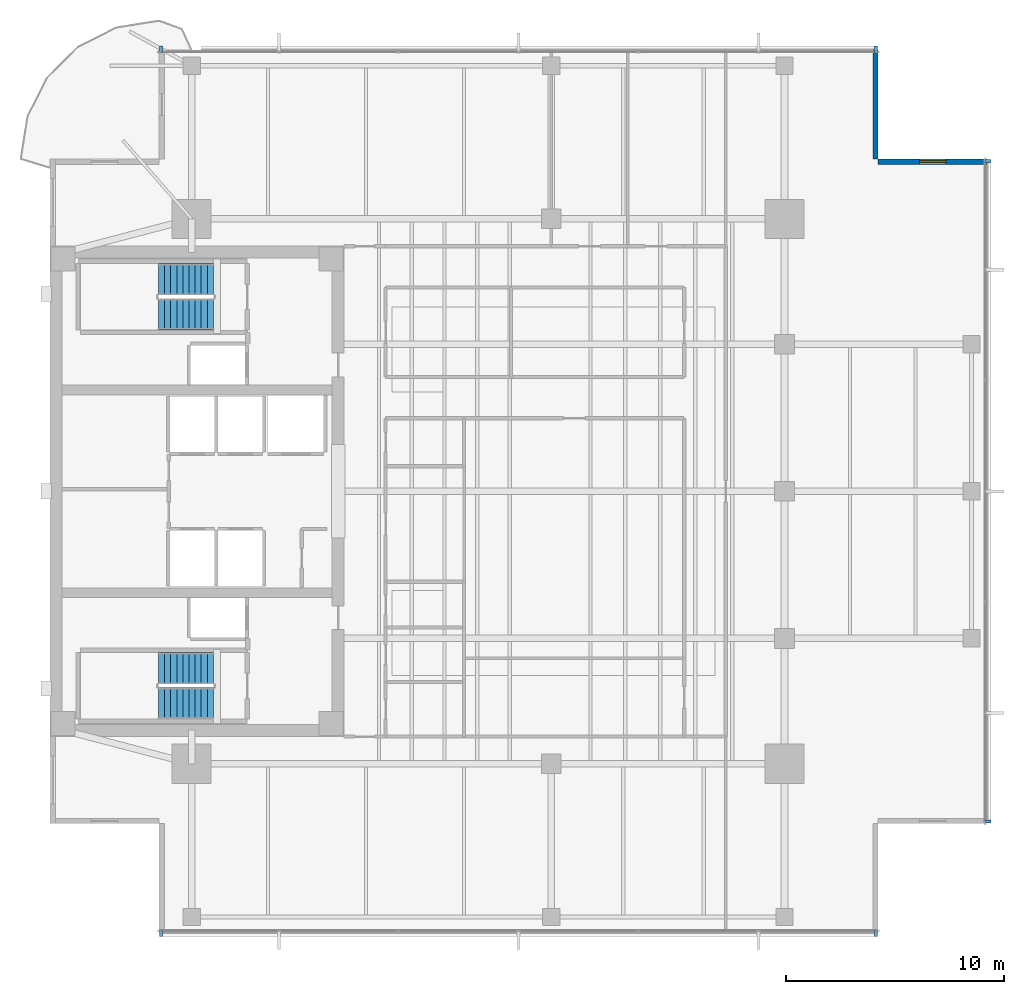
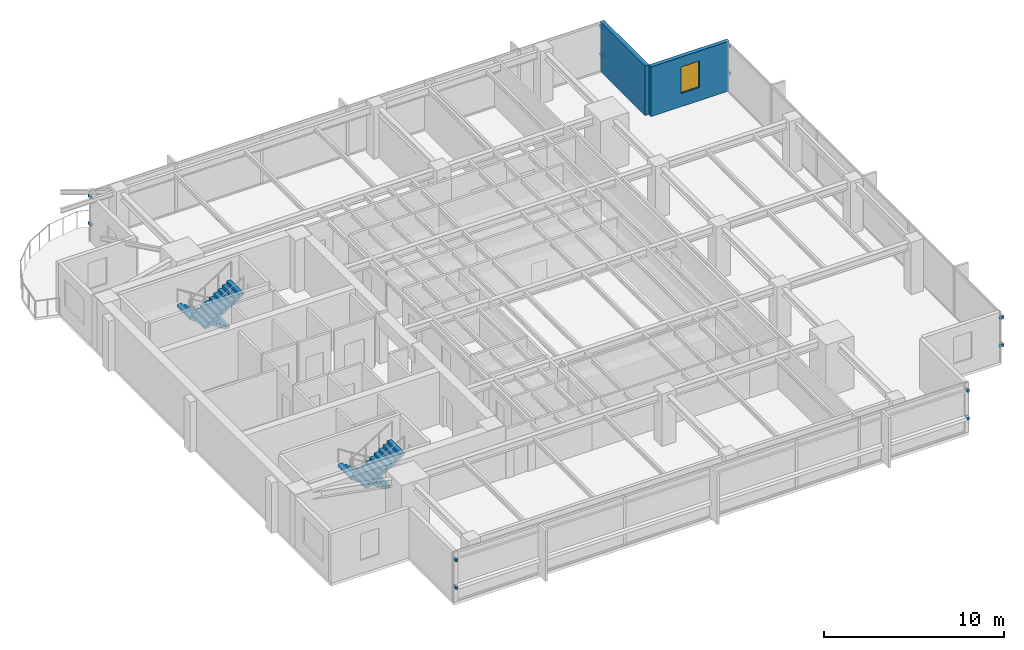
# One storey, part 10 of 14: 12 discrete accessories, 4 stair flights, 2 walls, 1 window, 1 opening, 2 elements without a shape of their own.
"""IFC4 building model written with IfcOpenShell, lengths in metres."""

from ifc_helpers import new_model, si_unit, direction, frame, frame_2d, origin, origin_2d, place, context, subcontext, project, spatial, polyline, rectangle, outline, extrude, material, layer, layer_set, type_object, element, fill, aggregate, save


model = new_model("IFC4")

# Units and contexts
model_context = context("Model", 3, precision=1e-05, world=origin(), true_north=direction((0.0, 1.0)))
body_context = subcontext(model_context, "Body", "Model", "MODEL_VIEW")
ifc_project = project(units=[si_unit("LENGTHUNIT", "METRE"), si_unit("AREAUNIT", "SQUARE_METRE"), si_unit("VOLUMEUNIT", "CUBIC_METRE"), si_unit("PLANEANGLEUNIT", "RADIAN"), si_unit("MASSUNIT", "GRAM", prefix="KILO")], contexts=[model_context])

# Site, building, storey
site_placement = place(None, origin())
site = spatial("IfcSite", under=ifc_project, at=site_placement, CompositionType="ELEMENT")
building_placement = place(site_placement, origin())
building = spatial("IfcBuilding", under=site, at=building_placement, Name="Kinhvarn Gate Tower", CompositionType="ELEMENT")
storey_placement = place(building_placement, frame((0.0, 0.0, 234.199951171875)))
storey = spatial("IfcBuildingStorey", under=building, at=storey_placement, Name="L62", CompositionType="ELEMENT", Elevation=234.199951171875)

# Wall, opening, window
ifc_material_1 = material(Name="Fired architectural terracotta", Category="masonry")
ifc_layer = layer(ifc_material_1, 0.25)
ifc_layer_set = layer_set([ifc_layer], Name="Fired architectural terracotta")
wall_type = type_object("IfcWallType", Name="WL-EXT-250", PredefinedType="SOLIDWALL", material=ifc_layer_set)
wall_1_placement = place(storey_placement, frame((47.5, 40.375, 0.0), z_axis=(0.0, 0.0, 1.0), x_axis=(-1.0, 0.0, 0.0)))
wall_1 = element("IfcWall", 1, at=wall_1_placement, inside=storey, type_object=wall_type, Name="Exterior Solidwall Wall EW-250 (L62 NE-Notch-1)", PredefinedType="SOLIDWALL", context=body_context, shape_type="SweptSolid", body=[
    extrude(rectangle(XDim=5.0, YDim=0.25, at=frame_2d((2.5, 0.0))), origin(), (0.0, 0.0, 1.0), 3.3701171875),
])
opening_placement = place(wall_1_placement, frame((1.89990234375, 0.0, 0.89990234375)))
opening = element("IfcOpeningElement", 2, at=opening_placement, cuts=wall_1, Name="Opening WN-02", PredefinedType="OPENING", context=body_context, shape_type="SweptSolid", body=[
    extrude(rectangle(XDim=1.199951171875, YDim=1.800048828125, at=frame_2d((0.60009765625, 0.89990234375))), frame((0.0, 0.135009765625, 0.0), z_axis=(0.0, -1.0, 0.0), x_axis=(1.0, 0.0, 0.0)), (0.0, 0.0, 1.0), 0.27001953125),
])
ifc_material_2 = material(Name="Clear low-e double glazing", Category="glass")
window_type = type_object("IfcWindowType", Name="WIN-NTC-1200", PartitioningType="SINGLE_PANEL", PredefinedType="WINDOW", material=ifc_material_2)
window_placement = place(opening_placement, origin())
window = element("IfcWindow", 3, at=window_placement, inside=storey, type_object=window_type, Name="Recessed Corner Notch Punched Window 1200x1800 mm (L62)", OverallHeight=1.800048828125, OverallWidth=1.199951171875, PartitioningType="SINGLE_PANEL", PredefinedType="WINDOW", context=body_context, shape_type="SweptSolid", body=[
    extrude(rectangle(XDim=1.199951171875, YDim=1.800048828125, at=frame_2d((0.60009765625, 0.89990234375))), frame((0.0, 0.030029296875, 0.0), z_axis=(0.0, -1.0, 0.0), x_axis=(1.0, 0.0, 0.0)), (0.0, 0.0, 1.0), 0.06005859375),
])
fill(opening, window)

# Wall
wall_2_placement = place(storey_placement, frame((42.375, 40.5, 0.0), z_axis=(0.0, 0.0, 1.0), x_axis=(0.0, 1.0, 0.0)))
element("IfcWall", 4, at=wall_2_placement, inside=storey, type_object=wall_type, Name="Exterior Solidwall Wall EW-250 (L62 NE-Notch-2)", PredefinedType="SOLIDWALL", context=body_context, shape_type="SweptSolid", body=[
    extrude(rectangle(XDim=5.0, YDim=0.25, at=frame_2d((2.5, 0.0))), origin(), (0.0, 0.0, 1.0), 3.3701171875),
])

# Stair, stair flights
ifc_material_3 = material(Name="Concrete C40/50", Category="concrete")
stair_type = type_object("IfcStairType", Name="STR-DLG-178", PredefinedType="HALF_TURN_STAIR", material=ifc_material_3)
stair_1_placement = place(storey_placement, origin())
stair_1 = element("IfcStair", 5, at=stair_1_placement, inside=storey, type_object=stair_type, Name="L62 Core Smokeproof Exit Stair ST1", PredefinedType="HALF_TURN_STAIR")
stair_flight_type = type_object("IfcStairFlightType", Name="STF-DLG-178", PredefinedType="STRAIGHT", material=ifc_material_3)
stair_flight_1_placement = place(storey_placement, frame((12.0, 17.125, 0.0), z_axis=(0.0, 0.0, 1.0), x_axis=(-1.0, 0.0, 0.0)))
stair_flight_1 = element("IfcStairFlight", 6, at=stair_flight_1_placement, type_object=stair_flight_type, Name="ST1 flight 1", NumberOfRisers=10, NumberOfTreads=9, PredefinedType="STRAIGHT", RiserHeight=0.1775, TreadLength=0.28, context=body_context, shape_type="SweptSolid", body=[
    extrude(outline(polyline([(0.0, 0.0), (0.0, 0.177490234375), (0.280029296875, 0.177490234375), (0.280029296875, 0.35498046875), (0.56005859375, 0.35498046875), (0.56005859375, 0.532470703125), (0.840087890625, 0.532470703125), (0.840087890625, 0.7099609375), (1.1201171875, 0.7099609375), (1.1201171875, 0.887451171875), (1.39990234375, 0.887451171875), (1.39990234375, 1.06494140625), (1.679931640625, 1.06494140625), (1.679931640625, 1.242431640625), (1.9599609375, 1.242431640625), (1.9599609375, 1.419921875), (2.239990234375, 1.419921875), (2.239990234375, 1.597412109375), (2.52001953125, 1.597412109375), (2.52001953125, 1.77490234375), (2.52001953125, 1.419921875), (0.280029296875, 0.0), (0.0, 0.0)])), frame((0.0, 0.72509765625, 0.0), z_axis=(0.0, -1.0, 0.0), x_axis=(1.0, 0.0, 0.0)), (0.0, 0.0, 1.0), 1.449951171875),
])
stair_flight_2_placement = place(storey_placement, frame((9.47998046875, 15.52490234375, 1.775146484375), z_axis=(0.0, 0.0, 1.0), x_axis=(1.0, 0.0, 0.0)))
stair_flight_2 = element("IfcStairFlight", 7, at=stair_flight_2_placement, type_object=stair_flight_type, Name="ST1 flight 2", NumberOfRisers=10, NumberOfTreads=9, PredefinedType="STRAIGHT", RiserHeight=0.1775, TreadLength=0.28, context=body_context, shape_type="SweptSolid", body=[
    extrude(outline(polyline([(0.0, 0.0), (0.0, 0.177490234375), (0.280029296875, 0.177490234375), (0.280029296875, 0.35498046875), (0.56005859375, 0.35498046875), (0.56005859375, 0.532470703125), (0.840087890625, 0.532470703125), (0.840087890625, 0.7099609375), (1.1201171875, 0.7099609375), (1.1201171875, 0.887451171875), (1.39990234375, 0.887451171875), (1.39990234375, 1.06494140625), (1.679931640625, 1.06494140625), (1.679931640625, 1.242431640625), (1.9599609375, 1.242431640625), (1.9599609375, 1.419921875), (2.239990234375, 1.419921875), (2.239990234375, 1.597412109375), (2.52001953125, 1.597412109375), (2.52001953125, 1.77490234375), (2.52001953125, 1.419921875), (0.280029296875, 0.0), (0.0, 0.0)])), frame((0.0, 0.72509765625, 0.0), z_axis=(0.0, -1.0, 0.0), x_axis=(1.0, 0.0, 0.0)), (0.0, 0.0, 1.0), 1.449951171875),
])
aggregate(stair_1, [stair_flight_1, stair_flight_2])

stair_2_placement = place(storey_placement, origin())
stair_2 = element("IfcStair", 8, at=stair_2_placement, inside=storey, type_object=stair_type, Name="L62 Core Smokeproof Exit Stair ST2", PredefinedType="HALF_TURN_STAIR")
stair_flight_3_placement = place(storey_placement, frame((12.0, 34.97509765625, 0.0), z_axis=(0.0, 0.0, 1.0), x_axis=(-1.0, 0.0, 0.0)))
stair_flight_3 = element("IfcStairFlight", 9, at=stair_flight_3_placement, type_object=stair_flight_type, Name="ST2 flight 1", NumberOfRisers=10, NumberOfTreads=9, PredefinedType="STRAIGHT", RiserHeight=0.1775, TreadLength=0.28, context=body_context, shape_type="SweptSolid", body=[
    extrude(outline(polyline([(0.0, 0.0), (0.0, 0.177490234375), (0.280029296875, 0.177490234375), (0.280029296875, 0.35498046875), (0.56005859375, 0.35498046875), (0.56005859375, 0.532470703125), (0.840087890625, 0.532470703125), (0.840087890625, 0.7099609375), (1.1201171875, 0.7099609375), (1.1201171875, 0.887451171875), (1.39990234375, 0.887451171875), (1.39990234375, 1.06494140625), (1.679931640625, 1.06494140625), (1.679931640625, 1.242431640625), (1.9599609375, 1.242431640625), (1.9599609375, 1.419921875), (2.239990234375, 1.419921875), (2.239990234375, 1.597412109375), (2.52001953125, 1.597412109375), (2.52001953125, 1.77490234375), (2.52001953125, 1.419921875), (0.280029296875, 0.0), (0.0, 0.0)])), frame((0.0, 0.72509765625, 0.0), z_axis=(0.0, -1.0, 0.0), x_axis=(1.0, 0.0, 0.0)), (0.0, 0.0, 1.0), 1.449951171875),
])
stair_flight_4_placement = place(storey_placement, frame((9.47998046875, 33.375, 1.775146484375), z_axis=(0.0, 0.0, 1.0), x_axis=(1.0, 0.0, 0.0)))
stair_flight_4 = element("IfcStairFlight", 10, at=stair_flight_4_placement, type_object=stair_flight_type, Name="ST2 flight 2", NumberOfRisers=10, NumberOfTreads=9, PredefinedType="STRAIGHT", RiserHeight=0.1775, TreadLength=0.28, context=body_context, shape_type="SweptSolid", body=[
    extrude(outline(polyline([(0.0, 0.0), (0.0, 0.177490234375), (0.280029296875, 0.177490234375), (0.280029296875, 0.35498046875), (0.56005859375, 0.35498046875), (0.56005859375, 0.532470703125), (0.840087890625, 0.532470703125), (0.840087890625, 0.7099609375), (1.1201171875, 0.7099609375), (1.1201171875, 0.887451171875), (1.39990234375, 0.887451171875), (1.39990234375, 1.06494140625), (1.679931640625, 1.06494140625), (1.679931640625, 1.242431640625), (1.9599609375, 1.242431640625), (1.9599609375, 1.419921875), (2.239990234375, 1.419921875), (2.239990234375, 1.597412109375), (2.52001953125, 1.597412109375), (2.52001953125, 1.77490234375), (2.52001953125, 1.419921875), (0.280029296875, 0.0), (0.0, 0.0)])), frame((0.0, 0.72509765625, 0.0), z_axis=(0.0, -1.0, 0.0), x_axis=(1.0, 0.0, 0.0)), (0.0, 0.0, 1.0), 1.449951171875),
])
aggregate(stair_2, [stair_flight_3, stair_flight_4])

# Discrete accessories
ifc_material_4 = material(Name="Anodised aluminium AW-6063", Category="aluminium")
discrete_accessory_type = type_object("IfcDiscreteAccessoryType", Name="ACC-BRK-01", PredefinedType="BRACKET", material=ifc_material_4)
for number, where, z_axis, x_axis, name in (
    (11, (9.60009765625, 4.969970703125, 0.9599609375), (0.0, 0.0, 1.0), (1.0, 0.0, 0.0), "Baguette Support Bracket BK-01 (L62)"),
    (12, (9.60009765625, 4.969970703125, 2.830078125), (0.0, 0.0, 1.0), (1.0, 0.0, 0.0), "Baguette Support Bracket BK-01 (L62)"),
    (13, (42.39990234375, 4.969970703125, 0.9599609375), (0.0, 0.0, 1.0), (1.0, 0.0, 0.0), "Baguette Support Bracket BK-01 (L62)"),
    (14, (42.39990234375, 4.969970703125, 2.830078125), (0.0, 0.0, 1.0), (1.0, 0.0, 0.0), "Baguette Support Bracket BK-01 (L62)"),
    (15, (42.39990234375, 45.530029296875, 0.9599609375), (0.0, 0.0, 1.0), (-1.0, 0.0, 0.0), "Baguette Support Bracket BK-01 (L62)"),
    (16, (42.39990234375, 45.530029296875, 2.830078125), (0.0, 0.0, 1.0), (-1.0, 0.0, 0.0), "Baguette Support Bracket BK-01 (L62)"),
    (17, (9.60009765625, 45.530029296875, 0.9599609375), (0.0, 0.0, 1.0), (-1.0, 0.0, 0.0), "Baguette Support Bracket BK-01 (L62)"),
    (18, (9.60009765625, 45.530029296875, 2.830078125), (0.0, 0.0, 1.0), (-1.0, 0.0, 0.0), "Baguette Support Bracket BK-01 (L62)"),
    (19, (47.530029296875, 10.10009765625, 0.9599609375), (0.0, 0.0, 1.0), (0.0, 1.0, 0.0), "Baguette Support Bracket BK-01 (L62)"),
    (20, (47.530029296875, 10.10009765625, 2.830078125), (0.0, 0.0, 1.0), (0.0, 1.0, 0.0), "Baguette Support Bracket BK-01 (L62)"),
    (21, (47.530029296875, 40.39990234375, 0.9599609375), (0.0, 0.0, 1.0), (0.0, 1.0, 0.0), "Baguette Support Bracket BK-01 (L62)"),
    (22, (47.530029296875, 40.39990234375, 2.830078125), (0.0, 0.0, 1.0), (0.0, 1.0, 0.0), "Baguette Support Bracket BK-01 (L62)"),
):
    element("IfcDiscreteAccessory", number, at=place(storey_placement, frame(where, z_axis=z_axis, x_axis=x_axis)), inside=storey, type_object=discrete_accessory_type, Name=name, PredefinedType="BRACKET", context=body_context, shape_type="SweptSolid", body=[
        extrude(rectangle(XDim=0.139892578125, YDim=0.280029296875, at=origin_2d()), origin(), (0.0, 0.0, 1.0), 0.179931640625),
    ])

save(model, "model.ifc")
